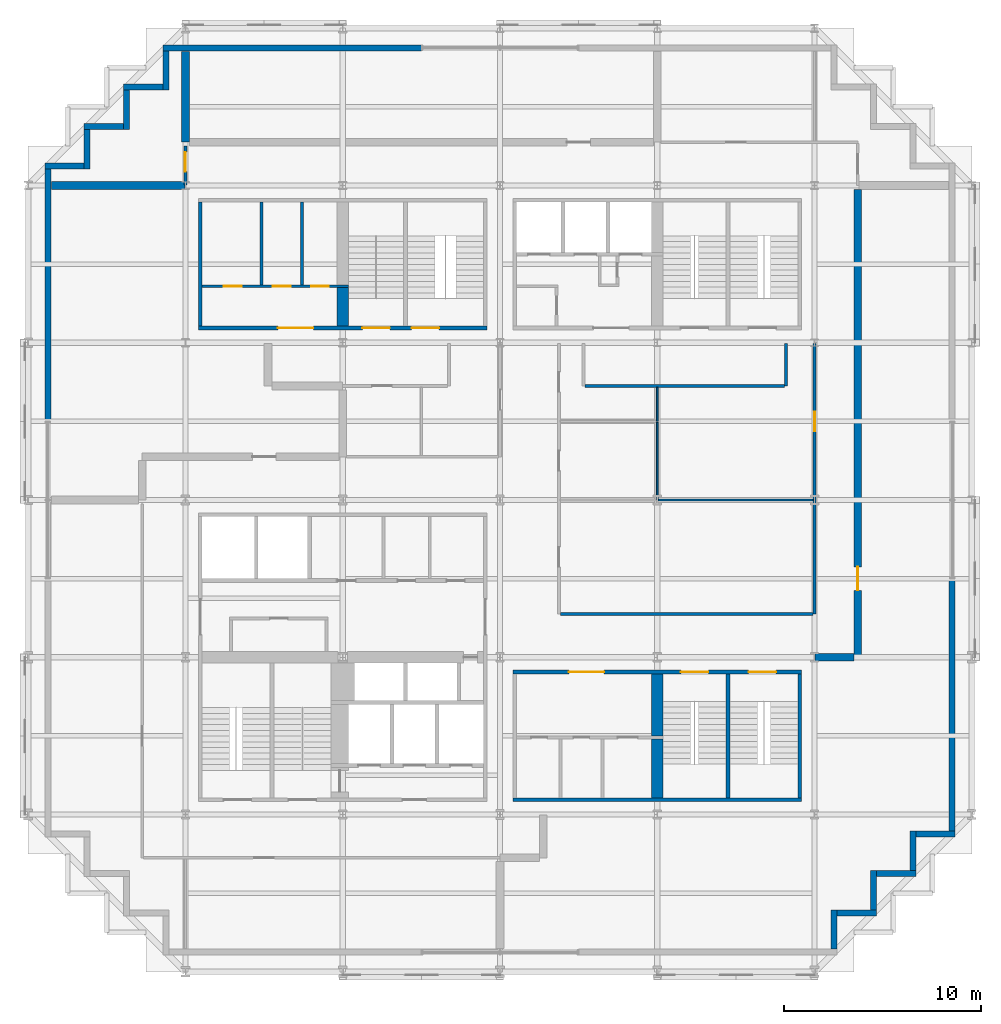
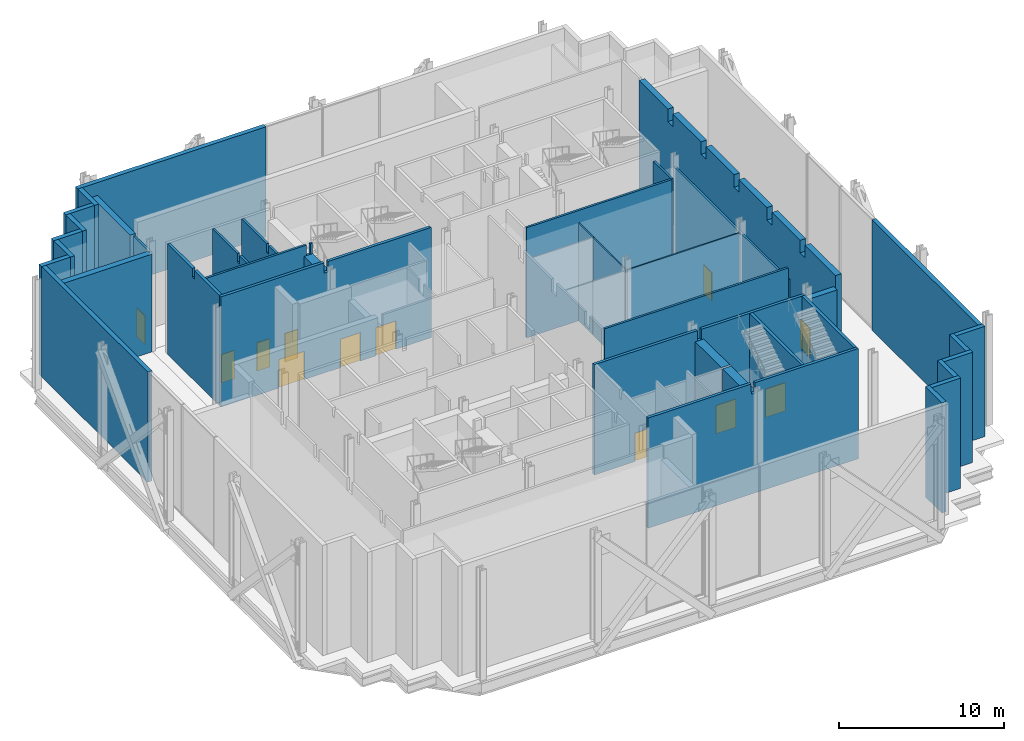
# One storey, part 9 of 13: 39 walls, 12 doors, 12 openings.
"""IFC4 building model written with IfcOpenShell, lengths in metres."""

from ifc_helpers import new_model, si_unit, direction, frame, frame_2d, origin, place, context, subcontext, project, spatial, polyline, rectangle, outline, extrude, material, layer, layer_set, type_object, element, fill, save


model = new_model("IFC4")

# Units and contexts
model_context = context("Model", 3, precision=1e-05, world=origin(), true_north=direction((0.0, 1.0)))
body_context = subcontext(model_context, "Body", "Model", "MODEL_VIEW")
ifc_project = project(units=[si_unit("LENGTHUNIT", "METRE"), si_unit("AREAUNIT", "SQUARE_METRE"), si_unit("VOLUMEUNIT", "CUBIC_METRE"), si_unit("PLANEANGLEUNIT", "RADIAN"), si_unit("MASSUNIT", "GRAM", prefix="KILO")], contexts=[model_context])

# Site, building, storey
site_placement = place(None, origin())
site = spatial("IfcSite", under=ifc_project, at=site_placement, CompositionType="ELEMENT")
building_placement = place(site_placement, origin())
building = spatial("IfcBuilding", under=site, at=building_placement, Name="Immortelle Media Tower", CompositionType="ELEMENT")
storey_placement = place(building_placement, frame((0.0, 0.0, 21.0)))
storey = spatial("IfcBuildingStorey", under=building, at=storey_placement, Name="L02", CompositionType="ELEMENT", Elevation=21.0)

# Wall, openings, doors
ifc_material_1 = material(Name="Fire-rated gypsum board", Category="gypsum")
ifc_layer_1 = layer(ifc_material_1, 0.02490234375)
ifc_material_2 = material(Name="Steel ASTM A653 SS Gr 50 stud frame with mineral wool", Category="steel")
ifc_layer_2 = layer(ifc_material_2, 0.10009765625)
ifc_layer_3 = layer(ifc_material_1, 0.02490234375)
ifc_layer_set_1 = layer_set([ifc_layer_1, ifc_layer_2, ifc_layer_3], Name="Steel ASTM A653 SS Gr 50 stud frame with mineral wool")
wall_type_1 = type_object("IfcWallType", Name="Core partition 150", PredefinedType="PARTITIONING", material=ifc_layer_set_1)
wall_1_placement = place(storey_placement, frame((8.85009765625, 34.875, 0.0), z_axis=(0.0, 0.0, 1.0), x_axis=(1.0, 0.0, 0.0)))
wall_1 = element("IfcWall", 1, at=wall_1_placement, inside=storey, type_object=wall_type_1, Name="Core partition NW", PredefinedType="PARTITIONING", context=body_context, shape_type="SweptSolid", body=[
    extrude(outline(polyline([(0.0, 0.0), (7.449951171875, 0.0), (7.449951171875, 8.14990234375), (7.28857421875, 8.14990234375), (7.28759765625, 7.382080078125), (7.012451171875, 7.382080078125), (7.011474609375, 8.14990234375), (0.0, 8.14990234375), (0.0, 0.0)])), frame((0.0, 0.074951171875, 0.0), z_axis=(0.0, -1.0, 0.0), x_axis=(1.0, 0.0, 0.0)), (0.0, 0.0, 1.0), 0.14990234375),
])
opening_1_placement = place(wall_1_placement, frame((1.10009765625, 0.0, 0.0)))
opening_1 = element("IfcOpeningElement", 2, at=opening_1_placement, cuts=wall_1, Name="Opening P2-K021", PredefinedType="OPENING", context=body_context, shape_type="SweptSolid", body=[
    extrude(rectangle(XDim=0.89990234375, YDim=2.10009765625, at=frame_2d((0.449951171875, 1.050048828125))), frame((0.0, 0.0849609375, 0.0), z_axis=(0.0, -1.0, 0.0), x_axis=(1.0, 0.0, 0.0)), (0.0, 0.0, 1.0), 0.169921875),
])
opening_2_placement = place(wall_1_placement, frame((3.60009765625, 0.0, 0.0)))
opening_2 = element("IfcOpeningElement", 3, at=opening_2_placement, cuts=wall_1, Name="Opening P2-K022", PredefinedType="OPENING", context=body_context, shape_type="SweptSolid", body=[
    extrude(rectangle(XDim=0.89990234375, YDim=2.10009765625, at=frame_2d((0.449951171875, 1.050048828125))), frame((0.0, 0.0849609375, 0.0), z_axis=(0.0, -1.0, 0.0), x_axis=(1.0, 0.0, 0.0)), (0.0, 0.0, 1.0), 0.169921875),
])
opening_3_placement = place(wall_1_placement, frame((5.550048828125, 0.0, 0.0)))
opening_3 = element("IfcOpeningElement", 4, at=opening_3_placement, cuts=wall_1, Name="Opening P2-K024", PredefinedType="OPENING", context=body_context, shape_type="SweptSolid", body=[
    extrude(rectangle(XDim=0.89990234375, YDim=2.10009765625, at=frame_2d((0.449951171875, 1.050048828125))), frame((0.0, 0.0849609375, 0.0), z_axis=(0.0, -1.0, 0.0), x_axis=(1.0, 0.0, 0.0)), (0.0, 0.0, 1.0), 0.169921875),
])
ifc_material_3 = material(Name="Timber", Category="wood")
door_type_1 = type_object("IfcDoorType", Name="Room door 900 x 2100", OperationType="NOTDEFINED", PredefinedType="NOTDEFINED", material=ifc_material_3)
door_1_placement = place(opening_1_placement, origin())
door_1 = element("IfcDoor", 5, at=door_1_placement, inside=storey, type_object=door_type_1, Name="Room P2-K021", OperationType="SINGLE_SWING_LEFT", OverallHeight=2.10009765625, OverallWidth=0.89990234375, PredefinedType="NOTDEFINED", context=body_context, shape_type="SweptSolid", body=[
    extrude(rectangle(XDim=0.89990234375, YDim=2.10009765625, at=frame_2d((0.449951171875, 1.050048828125))), frame((0.0, 0.02490234375, 0.0), z_axis=(0.0, -1.0, 0.0), x_axis=(1.0, 0.0, 0.0)), (0.0, 0.0, 1.0), 0.050048828125),
])
fill(opening_1, door_1)
door_2_placement = place(opening_2_placement, origin())
door_2 = element("IfcDoor", 6, at=door_2_placement, inside=storey, type_object=door_type_1, Name="Room P2-K022", OperationType="SINGLE_SWING_RIGHT", OverallHeight=2.10009765625, OverallWidth=0.89990234375, PredefinedType="NOTDEFINED", context=body_context, shape_type="SweptSolid", body=[
    extrude(rectangle(XDim=0.89990234375, YDim=2.10009765625, at=frame_2d((0.449951171875, 1.050048828125))), frame((0.0, 0.02490234375, 0.0), z_axis=(0.0, -1.0, 0.0), x_axis=(1.0, 0.0, 0.0)), (0.0, 0.0, 1.0), 0.050048828125),
])
fill(opening_2, door_2)
ifc_material_4 = material(Name="Galvanised steel door leaf and frame ASTM A653", Category="steel")
door_type_2 = type_object("IfcDoorType", Name="Service door 900 x 2100", OperationType="NOTDEFINED", PredefinedType="NOTDEFINED", material=ifc_material_4)
door_3_placement = place(opening_3_placement, origin())
door_3 = element("IfcDoor", 7, at=door_3_placement, inside=storey, type_object=door_type_2, Name="Service P2-K024", OperationType="SINGLE_SWING_LEFT", OverallHeight=2.10009765625, OverallWidth=0.89990234375, PredefinedType="NOTDEFINED", context=body_context, shape_type="SweptSolid", body=[
    extrude(rectangle(XDim=0.89990234375, YDim=2.10009765625, at=frame_2d((0.449951171875, 1.050048828125))), frame((0.0, 0.02490234375, 0.0), z_axis=(0.0, -1.0, 0.0), x_axis=(1.0, 0.0, 0.0)), (0.0, 0.0, 1.0), 0.050048828125),
])
fill(opening_3, door_3)

# Walls
for number, where, z_axis, x_axis, name in (
    (8, (11.875, 34.949951171875, 0.0), (0.0, 0.0, 1.0), (0.0, 1.0, 0.0), "Core partition NW"),
    (9, (13.925048828125, 34.949951171875, 0.0), (0.0, 0.0, 1.0), (0.0, 1.0, 0.0), "Core partition NW"),
):
    element("IfcWall", number, at=place(storey_placement, frame(where, z_axis=z_axis, x_axis=x_axis)), inside=storey, type_object=wall_type_1, Name=name, PredefinedType="PARTITIONING", context=body_context, shape_type="SweptSolid", body=[
        extrude(outline(polyline([(0.0, 0.0), (4.199951171875, 0.0), (4.199951171875, 8.14990234375), (1.16943359375, 8.14990234375), (1.16845703125, 7.531982421875), (0.931396484375, 7.531982421875), (0.930419921875, 8.14990234375), (0.0, 8.14990234375), (0.0, 0.0)])), frame((0.0, 0.074951171875, 0.0), z_axis=(0.0, -1.0, 0.0), x_axis=(1.0, 0.0, 0.0)), (0.0, 0.0, 1.0), 0.14990234375),
    ])
ifc_layer_4 = layer(ifc_material_1, 0.03759765625)
ifc_layer_5 = layer(ifc_material_2, 0.125)
ifc_layer_6 = layer(ifc_material_1, 0.03759765625)
ifc_layer_set_2 = layer_set([ifc_layer_4, ifc_layer_5, ifc_layer_6], Name="Steel ASTM A653 SS Gr 50 stud frame with mineral wool")
wall_type_2 = type_object("IfcWallType", Name="Core shaft wall 200", PredefinedType="PARTITIONING", material=ifc_layer_set_2)
wall_2_placement = place(storey_placement, frame((8.75, 32.85009765625, 0.0), z_axis=(0.0, 0.0, 1.0), x_axis=(0.0, 1.0, 0.0)))
element("IfcWall", 10, at=wall_2_placement, inside=storey, type_object=wall_type_2, Name="Core shaft wall NW", PredefinedType="PARTITIONING", context=body_context, shape_type="SweptSolid", body=[
    extrude(outline(polyline([(0.0, 0.0), (6.2998046875, 0.0), (6.300048828125, 8.14990234375), (3.26953125, 8.14990234375), (3.2685546875, 7.531982421875), (3.031494140625, 7.531982421875), (3.030517578125, 8.14990234375), (0.0, 8.14990234375), (0.0, 0.0)])), frame((0.0, 0.10009765625, 0.0), z_axis=(0.0, -1.0, 0.0), x_axis=(1.0, 0.0, 0.0)), (0.0, 0.0, 1.0), 0.199951171875),
])
ifc_layer_7 = layer(ifc_material_1, 0.012451171875)
ifc_layer_8 = layer(ifc_material_2, 0.125)
ifc_layer_9 = layer(ifc_material_1, 0.012451171875)
ifc_layer_set_3 = layer_set([ifc_layer_7, ifc_layer_8, ifc_layer_9], Name="Steel ASTM A653 SS Gr 50 stud frame with mineral wool")
wall_type_3 = type_object("IfcWallType", Name="Corridor wall 150", PredefinedType="PARTITIONING", material=ifc_layer_set_3)
wall_3_placement = place(storey_placement, frame((27.074951171875, 18.199951171875, 0.0), z_axis=(0.0, 0.0, 1.0), x_axis=(1.0, 0.0, 0.0)))
element("IfcWall", 11, at=wall_3_placement, inside=storey, type_object=wall_type_3, Name="Partition L02-009", PredefinedType="PARTITIONING", context=body_context, shape_type="SweptSolid", body=[
    extrude(rectangle(XDim=12.85009765625, YDim=0.14990234375, at=frame_2d((6.425048828125, 0.0))), origin(), (0.0, 0.0, 1.0), 8.14990234375),
])

# Wall, opening, door
wall_4_placement = place(storey_placement, frame((40.0, 18.199951171875, 0.0), z_axis=(0.0, 0.0, 1.0), x_axis=(0.0, 1.0, 0.0)))
wall_4 = element("IfcWall", 12, at=wall_4_placement, inside=storey, type_object=wall_type_3, Name="Partition L02-011", PredefinedType="PARTITIONING", context=body_context, shape_type="SweptSolid", body=[
    extrude(rectangle(XDim=13.77001953125, YDim=0.14990234375, at=frame_2d((6.885009765625, 0.0))), origin(), (0.0, 0.0, 1.0), 7.222900390625),
])
opening_4_placement = place(wall_4_placement, frame((9.300048828125, 0.0, 0.0)))
opening_4 = element("IfcOpeningElement", 13, at=opening_4_placement, cuts=wall_4, Name="Opening P2-F007", PredefinedType="OPENING", context=body_context, shape_type="SweptSolid", body=[
    extrude(rectangle(XDim=1.0, YDim=2.10009765625, at=frame_2d((0.5, 1.050048828125))), frame((0.0, 0.0849609375, 0.0), z_axis=(0.0, -1.0, 0.0), x_axis=(1.0, 0.0, 0.0)), (0.0, 0.0, 1.0), 0.169921875),
])
ifc_material_5 = material(Name="Timber veneered door leaf, galvanised steel frame ASTM A653", Category="steel")
door_type_3 = type_object("IfcDoorType", Name="Room door 1000 x 2100", OperationType="NOTDEFINED", PredefinedType="DOOR", material=ifc_material_5)
door_4_placement = place(opening_4_placement, origin())
door_4 = element("IfcDoor", 14, at=door_4_placement, inside=storey, type_object=door_type_3, Name="Door P2-F007", OperationType="SINGLE_SWING_RIGHT", OverallHeight=2.10009765625, OverallWidth=1.0, PredefinedType="DOOR", context=body_context, shape_type="SweptSolid", body=[
    extrude(rectangle(XDim=1.0, YDim=2.10009765625, at=frame_2d((0.5, 1.050048828125))), frame((0.0, 0.02490234375, 0.0), z_axis=(0.0, -1.0, 0.0), x_axis=(1.0, 0.0, 0.0)), (0.0, 0.0, 1.0), 0.050048828125),
])
fill(opening_4, door_4)

# Walls
wall_5_placement = place(storey_placement, frame((28.324951171875, 29.800048828125, 0.0), z_axis=(0.0, 0.0, 1.0), x_axis=(1.0, 0.0, 0.0)))
element("IfcWall", 15, at=wall_5_placement, inside=storey, type_object=wall_type_3, Name="Partition L02-028", PredefinedType="PARTITIONING", context=body_context, shape_type="SweptSolid", body=[
    extrude(rectangle(XDim=10.150146484375, YDim=0.14990234375, at=frame_2d((5.0751953125, 0.0))), origin(), (0.0, 0.0, 1.0), 8.14990234375),
])
wall_6_placement = place(storey_placement, frame((38.550048828125, 29.800048828125, 0.0), z_axis=(0.0, 0.0, 1.0), x_axis=(0.0, 1.0, 0.0)))
element("IfcWall", 16, at=wall_6_placement, inside=storey, type_object=wall_type_3, Name="Partition L02-030", PredefinedType="PARTITIONING", context=body_context, shape_type="SweptSolid", body=[
    extrude(rectangle(XDim=2.169921875, YDim=0.14990234375, at=frame_2d((1.0849609375, 0.0))), origin(), (0.0, 0.0, 1.0), 8.14990234375),
])

# Wall, opening, door
wall_7_placement = place(storey_placement, frame((8.0, 40.030029296875, 0.0), z_axis=(0.0, 0.0, 1.0), x_axis=(0.0, 1.0, 0.0)))
wall_7 = element("IfcWall", 17, at=wall_7_placement, inside=storey, type_object=wall_type_3, Name="Partition L02-034", PredefinedType="PARTITIONING", context=body_context, shape_type="SweptSolid", body=[
    extrude(rectangle(XDim=1.969970703125, YDim=0.14990234375, at=frame_2d((0.98486328125, 0.0))), origin(), (0.0, 0.0, 1.0), 7.222900390625),
])
opening_5_placement = place(wall_7_placement, frame((0.669921875, 0.0, 0.0)))
opening_5 = element("IfcOpeningElement", 18, at=opening_5_placement, cuts=wall_7, Name="Opening P2-F011", PredefinedType="OPENING", context=body_context, shape_type="SweptSolid", body=[
    extrude(rectangle(XDim=1.0, YDim=2.10009765625, at=frame_2d((0.5, 1.050048828125))), frame((0.0, 0.0849609375, 0.0), z_axis=(0.0, -1.0, 0.0), x_axis=(1.0, 0.0, 0.0)), (0.0, 0.0, 1.0), 0.169921875),
])
door_5_placement = place(opening_5_placement, origin())
door_5 = element("IfcDoor", 19, at=door_5_placement, inside=storey, type_object=door_type_3, Name="Door P2-F011", OperationType="SINGLE_SWING_LEFT", OverallHeight=2.10009765625, OverallWidth=1.0, PredefinedType="DOOR", context=body_context, shape_type="SweptSolid", body=[
    extrude(rectangle(XDim=1.0, YDim=2.10009765625, at=frame_2d((0.5, 1.050048828125))), frame((0.0, 0.02490234375, 0.0), z_axis=(0.0, -1.0, 0.0), x_axis=(1.0, 0.0, 0.0)), (0.0, 0.0, 1.0), 0.050048828125),
])
fill(opening_5, door_5)

# Walls
ifc_material_6 = material(Name="Pale aluminium cladding panel", Category="aluminium")
ifc_layer_10 = layer(ifc_material_6, 0.030029296875)
ifc_layer_11 = layer(ifc_material_2, 0.257568359375)
ifc_material_7 = material(Name="Moisture-resistant gypsum board", Category="gypsum")
ifc_layer_12 = layer(ifc_material_7, 0.012451171875)
ifc_layer_set_4 = layer_set([ifc_layer_10, ifc_layer_11, ifc_layer_12], Name="Steel ASTM A653 SS Gr 50 stud frame with mineral wool")
wall_type_4 = type_object("IfcWallType", Name="Pale metal clad wall 300", PredefinedType="STANDARD", material=ifc_layer_set_4)
for number, where, z_axis, x_axis, name in (
    (20, (41.0, 1.14990234375, 0.0), (0.0, 0.0, 1.0), (0.0, 1.0, 0.0), "Studio wall L02 E 8"),
    (21, (41.14990234375, 3.0, 0.0), (0.0, 0.0, 1.0), (1.0, 0.0, 0.0), "Studio wall L02 S 9"),
    (22, (43.0, 3.14990234375, 0.0), (0.0, 0.0, 1.0), (0.0, 1.0, 0.0), "Studio wall L02 E 10"),
    (23, (43.14990234375, 5.0, 0.0), (0.0, 0.0, 1.0), (1.0, 0.0, 0.0), "Studio wall L02 S 11"),
    (24, (45.0, 5.14990234375, 0.0), (0.0, 0.0, 1.0), (0.0, 1.0, 0.0), "Studio wall L02 E 12"),
    (25, (45.14990234375, 7.0, 0.0), (0.0, 0.0, 1.0), (1.0, 0.0, 0.0), "Studio wall L02 S 13"),
):
    element("IfcWall", number, at=place(storey_placement, frame(where, z_axis=z_axis, x_axis=x_axis)), inside=storey, type_object=wall_type_4, Name=name, PredefinedType="STANDARD", context=body_context, shape_type="SweptSolid", body=[
        extrude(rectangle(XDim=2.0, YDim=0.300048828125, at=frame_2d((1.0, 0.0))), origin(), (0.0, 0.0, 1.0), 8.14990234375),
    ])
wall_8_placement = place(storey_placement, frame((47.0, 7.14990234375, 0.0), z_axis=(0.0, 0.0, 1.0), x_axis=(0.0, 1.0, 0.0)))
element("IfcWall", 26, at=wall_8_placement, inside=storey, type_object=wall_type_4, Name="Studio wall L02 E 14-1", PredefinedType="STANDARD", context=body_context, shape_type="SweptSolid", body=[
    extrude(rectangle(XDim=12.85009765625, YDim=0.300048828125, at=frame_2d((6.425048828125, 0.0))), origin(), (0.0, 0.0, 1.0), 8.14990234375),
])
wall_9_placement = place(storey_placement, frame((20.0, 47.0, 0.0), z_axis=(0.0, 0.0, 1.0), x_axis=(-1.0, 0.0, 0.0)))
element("IfcWall", 27, at=wall_9_placement, inside=storey, type_object=wall_type_4, Name="Studio wall L02 N 21-3", PredefinedType="STANDARD", context=body_context, shape_type="SweptSolid", body=[
    extrude(rectangle(XDim=13.14990234375, YDim=0.300048828125, at=frame_2d((6.574951171875, 0.0))), origin(), (0.0, 0.0, 1.0), 8.14990234375),
])
for number, where, z_axis, x_axis, name in (
    (28, (7.0, 46.85009765625, 0.0), (0.0, 0.0, 1.0), (0.0, -1.0, 0.0), "Studio wall L02 W 22"),
    (29, (6.85009765625, 45.0, 0.0), (0.0, 0.0, 1.0), (-1.0, 0.0, 0.0), "Studio wall L02 N 23"),
    (30, (5.0, 44.85009765625, 0.0), (0.0, 0.0, 1.0), (0.0, -1.0, 0.0), "Studio wall L02 W 24"),
    (31, (4.85009765625, 43.0, 0.0), (0.0, 0.0, 1.0), (-1.0, 0.0, 0.0), "Studio wall L02 N 25"),
    (32, (3.0, 42.85009765625, 0.0), (0.0, 0.0, 1.0), (0.0, -1.0, 0.0), "Studio wall L02 W 26"),
    (33, (2.85009765625, 41.0, 0.0), (0.0, 0.0, 1.0), (-1.0, 0.0, 0.0), "Studio wall L02 N 27"),
):
    element("IfcWall", number, at=place(storey_placement, frame(where, z_axis=z_axis, x_axis=x_axis)), inside=storey, type_object=wall_type_4, Name=name, PredefinedType="STANDARD", context=body_context, shape_type="SweptSolid", body=[
        extrude(rectangle(XDim=2.0, YDim=0.300048828125, at=frame_2d((1.0, 0.0))), origin(), (0.0, 0.0, 1.0), 8.14990234375),
    ])
wall_10_placement = place(storey_placement, frame((1.0, 40.85009765625, 0.0), z_axis=(0.0, 0.0, 1.0), x_axis=(0.0, -1.0, 0.0)))
element("IfcWall", 34, at=wall_10_placement, inside=storey, type_object=wall_type_4, Name="Studio wall L02 W 28-1", PredefinedType="STANDARD", context=body_context, shape_type="SweptSolid", body=[
    extrude(rectangle(XDim=12.85009765625, YDim=0.300048828125, at=frame_2d((6.425048828125, 0.0))), origin(), (0.0, 0.0, 1.0), 8.14990234375),
])
ifc_material_8 = material(Name="Gypsum board", Category="gypsum")
ifc_layer_13 = layer(ifc_material_8, 0.012451171875)
ifc_layer_14 = layer(ifc_material_2, 0.074951171875)
ifc_layer_15 = layer(ifc_material_8, 0.012451171875)
ifc_layer_set_5 = layer_set([ifc_layer_13, ifc_layer_14, ifc_layer_15], Name="Steel ASTM A653 SS Gr 50 stud frame with mineral wool")
wall_type_5 = type_object("IfcWallType", Name="Partition 100", PredefinedType="PARTITIONING", material=ifc_layer_set_5)
wall_11_placement = place(storey_placement, frame((32.050048828125, 24.0, 0.0), z_axis=(0.0, 0.0, 1.0), x_axis=(1.0, 0.0, 0.0)))
element("IfcWall", 35, at=wall_11_placement, inside=storey, type_object=wall_type_5, Name="Partition L02-015", PredefinedType="PARTITIONING", context=body_context, shape_type="SweptSolid", body=[
    extrude(rectangle(XDim=7.875, YDim=0.10009765625, at=frame_2d((3.9375, 0.0))), origin(), (0.0, 0.0, 1.0), 7.222900390625),
])
wall_12_placement = place(storey_placement, frame((32.0, 24.0, 0.0), z_axis=(0.0, 0.0, 1.0), x_axis=(0.0, 1.0, 0.0)))
element("IfcWall", 36, at=wall_12_placement, inside=storey, type_object=wall_type_5, Name="Partition L02-016", PredefinedType="PARTITIONING", context=body_context, shape_type="SweptSolid", body=[
    extrude(rectangle(XDim=3.949951171875, YDim=0.10009765625, at=frame_2d((1.97509765625, 0.0))), origin(), (0.0, 0.0, 1.0), 7.222900390625),
])
wall_13_placement = place(storey_placement, frame((32.0, 28.0, 0.0), z_axis=(0.0, 0.0, 1.0), x_axis=(0.0, 1.0, 0.0)))
element("IfcWall", 37, at=wall_13_placement, inside=storey, type_object=wall_type_5, Name="Partition L02-023", PredefinedType="PARTITIONING", context=body_context, shape_type="SweptSolid", body=[
    extrude(rectangle(XDim=1.72509765625, YDim=0.10009765625, at=frame_2d((0.862548828125, 0.0))), origin(), (0.0, 0.0, 1.0), 7.222900390625),
])
ifc_material_9 = material(Name="Concrete C60", Category="concrete")
ifc_layer_16 = layer(ifc_material_9, 0.199951171875)
ifc_layer_set_6 = layer_set([ifc_layer_16], Name="Concrete C60")
wall_type_6 = type_object("IfcWallType", Name="Stair shaft wall 200", PredefinedType="PARTITIONING", material=ifc_layer_set_6)
wall_14_placement = place(storey_placement, frame((24.64990234375, 8.75, 0.0), z_axis=(0.0, 0.0, 1.0), x_axis=(1.0, 0.0, 0.0)))
element("IfcWall", 38, at=wall_14_placement, inside=storey, type_object=wall_type_6, Name="Stair shaft wall SE", PredefinedType="PARTITIONING", context=body_context, shape_type="SweptSolid", body=[
    extrude(outline(polyline([(0.0, 0.0), (14.7001953125, 0.0), (14.699951171875, 8.14990234375), (7.488525390625, 8.14990234375), (7.487548828125, 7.382080078125), (7.21240234375, 7.382080078125), (7.21142578125, 8.14990234375), (0.0, 8.14990234375), (0.0, 0.0)])), frame((0.0, 0.10009765625, 0.0), z_axis=(0.0, -1.0, 0.0), x_axis=(1.0, 0.0, 0.0)), (0.0, 0.0, 1.0), 0.199951171875),
])

# Wall, openings, doors
wall_15_placement = place(storey_placement, frame((24.64990234375, 15.25, 0.0), z_axis=(0.0, 0.0, 1.0), x_axis=(1.0, 0.0, 0.0)))
wall_15 = element("IfcWall", 39, at=wall_15_placement, inside=storey, type_object=wall_type_6, Name="Stair shaft wall SE", PredefinedType="PARTITIONING", context=body_context, shape_type="SweptSolid", body=[
    extrude(outline(polyline([(0.0, 0.0), (14.7001953125, 0.0), (14.699951171875, 8.14990234375), (7.488525390625, 8.14990234375), (7.487548828125, 7.382080078125), (7.21240234375, 7.382080078125), (7.21142578125, 8.14990234375), (0.0, 8.14990234375), (0.0, 0.0)])), frame((0.0, 0.10009765625, 0.0), z_axis=(0.0, -1.0, 0.0), x_axis=(1.0, 0.0, 0.0)), (0.0, 0.0, 1.0), 0.199951171875),
])
opening_6_placement = place(wall_15_placement, frame((2.85009765625, 0.0, 0.0)))
opening_6 = element("IfcOpeningElement", 40, at=opening_6_placement, cuts=wall_15, Name="Opening P2-K017", PredefinedType="OPENING", context=body_context, shape_type="SweptSolid", body=[
    extrude(rectangle(XDim=1.800048828125, YDim=2.10009765625, at=frame_2d((0.89990234375, 1.050048828125))), frame((0.0, 0.10986328125, 0.0), z_axis=(0.0, -1.0, 0.0), x_axis=(1.0, 0.0, 0.0)), (0.0, 0.0, 1.0), 0.219970703125),
])
opening_7_placement = place(wall_15_placement, frame((9.949951171875, 0.0, 0.0), z_axis=(0.0, 0.0, 1.0), x_axis=(-1.0, 0.0, 0.0)))
opening_7 = element("IfcOpeningElement", 41, at=opening_7_placement, cuts=wall_15, Name="Opening P2-K019", PredefinedType="OPENING", context=body_context, shape_type="SweptSolid", body=[
    extrude(rectangle(XDim=1.39990234375, YDim=2.10009765625, at=frame_2d((0.699951171875, 1.050048828125))), frame((0.0, 0.10986328125, 0.0), z_axis=(0.0, -1.0, 0.0), x_axis=(1.0, 0.0, 0.0)), (0.0, 0.0, 1.0), 0.219970703125),
])
opening_8_placement = place(wall_15_placement, frame((13.39990234375, 0.0, 0.0), z_axis=(0.0, 0.0, 1.0), x_axis=(-1.0, 0.0, 0.0)))
opening_8 = element("IfcOpeningElement", 42, at=opening_8_placement, cuts=wall_15, Name="Opening P2-K020", PredefinedType="OPENING", context=body_context, shape_type="SweptSolid", body=[
    extrude(rectangle(XDim=1.39990234375, YDim=2.10009765625, at=frame_2d((0.699951171875, 1.050048828125))), frame((0.0, 0.10986328125, 0.0), z_axis=(0.0, -1.0, 0.0), x_axis=(1.0, 0.0, 0.0)), (0.0, 0.0, 1.0), 0.219970703125),
])
door_type_4 = type_object("IfcDoorType", Name="Lift lobby door 1800 x 2100", OperationType="DOUBLE_DOOR_SINGLE_SWING", PredefinedType="NOTDEFINED", material=ifc_material_4)
door_6_placement = place(opening_6_placement, origin())
door_6 = element("IfcDoor", 43, at=door_6_placement, inside=storey, type_object=door_type_4, Name="Lift lobby P2-K017", OperationType="DOUBLE_DOOR_SINGLE_SWING", OverallHeight=2.10009765625, OverallWidth=1.800048828125, PredefinedType="NOTDEFINED", context=body_context, shape_type="SweptSolid", body=[
    extrude(rectangle(XDim=1.800048828125, YDim=2.10009765625, at=frame_2d((0.89990234375, 1.050048828125))), frame((0.0, 0.02490234375, 0.0), z_axis=(0.0, -1.0, 0.0), x_axis=(1.0, 0.0, 0.0)), (0.0, 0.0, 1.0), 0.050048828125),
])
fill(opening_6, door_6)
door_type_5 = type_object("IfcDoorType", Name="Stair door 1400 x 2100", OperationType="DOUBLE_DOOR_SINGLE_SWING", PredefinedType="NOTDEFINED", material=ifc_material_4)
door_7_placement = place(opening_7_placement, origin())
door_7 = element("IfcDoor", 44, at=door_7_placement, inside=storey, type_object=door_type_5, Name="Stair P2-K019", OperationType="DOUBLE_DOOR_SINGLE_SWING", OverallHeight=2.10009765625, OverallWidth=1.39990234375, PredefinedType="NOTDEFINED", context=body_context, shape_type="SweptSolid", body=[
    extrude(rectangle(XDim=1.39990234375, YDim=2.10009765625, at=frame_2d((0.699951171875, 1.050048828125))), frame((0.0, 0.02490234375, 0.0), z_axis=(0.0, -1.0, 0.0), x_axis=(1.0, 0.0, 0.0)), (0.0, 0.0, 1.0), 0.050048828125),
])
fill(opening_7, door_7)
door_8_placement = place(opening_8_placement, origin())
door_8 = element("IfcDoor", 45, at=door_8_placement, inside=storey, type_object=door_type_5, Name="Stair P2-K020", OperationType="DOUBLE_DOOR_SINGLE_SWING", OverallHeight=2.10009765625, OverallWidth=1.39990234375, PredefinedType="NOTDEFINED", context=body_context, shape_type="SweptSolid", body=[
    extrude(rectangle(XDim=1.39990234375, YDim=2.10009765625, at=frame_2d((0.699951171875, 1.050048828125))), frame((0.0, 0.02490234375, 0.0), z_axis=(0.0, -1.0, 0.0), x_axis=(1.0, 0.0, 0.0)), (0.0, 0.0, 1.0), 0.050048828125),
])
fill(opening_8, door_8)

# Walls
for number, where, z_axis, x_axis, name in (
    (46, (35.60009765625, 8.85009765625, 0.0), (0.0, 0.0, 1.0), (0.0, 1.0, 0.0), "Stair shaft wall SE"),
    (47, (39.25, 8.85009765625, 0.0), (0.0, 0.0, 1.0), (0.0, 1.0, 0.0), "Stair shaft wall SE"),
):
    element("IfcWall", number, at=place(storey_placement, frame(where, z_axis=z_axis, x_axis=x_axis)), inside=storey, type_object=wall_type_6, Name=name, PredefinedType="PARTITIONING", context=body_context, shape_type="SweptSolid", body=[
        extrude(rectangle(XDim=6.2998046875, YDim=0.199951171875, at=frame_2d((3.14990234375, 0.0))), origin(), (0.0, 0.0, 1.0), 8.14990234375),
    ])

# Wall, openings, doors
wall_16_placement = place(storey_placement, frame((8.64990234375, 32.75, 0.0), z_axis=(0.0, 0.0, 1.0), x_axis=(1.0, 0.0, 0.0)))
wall_16 = element("IfcWall", 48, at=wall_16_placement, inside=storey, type_object=wall_type_6, Name="Stair shaft wall NW", PredefinedType="PARTITIONING", context=body_context, shape_type="SweptSolid", body=[
    extrude(outline(polyline([(0.0, 0.0), (14.7001953125, 0.0), (14.699951171875, 8.14990234375), (7.488525390625, 8.14990234375), (7.487548828125, 7.382080078125), (7.21240234375, 7.382080078125), (7.21142578125, 8.14990234375), (0.0, 8.14990234375), (0.0, 0.0)])), frame((0.0, 0.10009765625, 0.0), z_axis=(0.0, -1.0, 0.0), x_axis=(1.0, 0.0, 0.0)), (0.0, 0.0, 1.0), 0.199951171875),
])
opening_9_placement = place(wall_16_placement, frame((4.050048828125, 0.0, 0.0)))
opening_9 = element("IfcOpeningElement", 49, at=opening_9_placement, cuts=wall_16, Name="Opening P2-K023", PredefinedType="OPENING", context=body_context, shape_type="SweptSolid", body=[
    extrude(rectangle(XDim=1.800048828125, YDim=2.10009765625, at=frame_2d((0.89990234375, 1.050048828125))), frame((0.0, 0.10986328125, 0.0), z_axis=(0.0, -1.0, 0.0), x_axis=(1.0, 0.0, 0.0)), (0.0, 0.0, 1.0), 0.219970703125),
])
opening_10_placement = place(wall_16_placement, frame((8.35009765625, 0.0, 0.0)))
opening_10 = element("IfcOpeningElement", 50, at=opening_10_placement, cuts=wall_16, Name="Opening P2-K025", PredefinedType="OPENING", context=body_context, shape_type="SweptSolid", body=[
    extrude(rectangle(XDim=1.39990234375, YDim=2.10009765625, at=frame_2d((0.699951171875, 1.050048828125))), frame((0.0, 0.10986328125, 0.0), z_axis=(0.0, -1.0, 0.0), x_axis=(1.0, 0.0, 0.0)), (0.0, 0.0, 1.0), 0.219970703125),
])
opening_11_placement = place(wall_16_placement, frame((10.85009765625, 0.0, 0.0)))
opening_11 = element("IfcOpeningElement", 51, at=opening_11_placement, cuts=wall_16, Name="Opening P2-K026", PredefinedType="OPENING", context=body_context, shape_type="SweptSolid", body=[
    extrude(rectangle(XDim=1.39990234375, YDim=2.10009765625, at=frame_2d((0.699951171875, 1.050048828125))), frame((0.0, 0.10986328125, 0.0), z_axis=(0.0, -1.0, 0.0), x_axis=(1.0, 0.0, 0.0)), (0.0, 0.0, 1.0), 0.219970703125),
])
door_9_placement = place(opening_9_placement, origin())
door_9 = element("IfcDoor", 52, at=door_9_placement, inside=storey, type_object=door_type_4, Name="Lift lobby P2-K023", OperationType="DOUBLE_DOOR_SINGLE_SWING", OverallHeight=2.10009765625, OverallWidth=1.800048828125, PredefinedType="NOTDEFINED", context=body_context, shape_type="SweptSolid", body=[
    extrude(rectangle(XDim=1.800048828125, YDim=2.10009765625, at=frame_2d((0.89990234375, 1.050048828125))), frame((0.0, 0.02490234375, 0.0), z_axis=(0.0, -1.0, 0.0), x_axis=(1.0, 0.0, 0.0)), (0.0, 0.0, 1.0), 0.050048828125),
])
fill(opening_9, door_9)
door_10_placement = place(opening_10_placement, origin())
door_10 = element("IfcDoor", 53, at=door_10_placement, inside=storey, type_object=door_type_5, Name="Stair P2-K025", OperationType="DOUBLE_DOOR_SINGLE_SWING", OverallHeight=2.10009765625, OverallWidth=1.39990234375, PredefinedType="NOTDEFINED", context=body_context, shape_type="SweptSolid", body=[
    extrude(rectangle(XDim=1.39990234375, YDim=2.10009765625, at=frame_2d((0.699951171875, 1.050048828125))), frame((0.0, 0.02490234375, 0.0), z_axis=(0.0, -1.0, 0.0), x_axis=(1.0, 0.0, 0.0)), (0.0, 0.0, 1.0), 0.050048828125),
])
fill(opening_10, door_10)
door_11_placement = place(opening_11_placement, origin())
door_11 = element("IfcDoor", 54, at=door_11_placement, inside=storey, type_object=door_type_5, Name="Stair P2-K026", OperationType="DOUBLE_DOOR_SINGLE_SWING", OverallHeight=2.10009765625, OverallWidth=1.39990234375, PredefinedType="NOTDEFINED", context=body_context, shape_type="SweptSolid", body=[
    extrude(rectangle(XDim=1.39990234375, YDim=2.10009765625, at=frame_2d((0.699951171875, 1.050048828125))), frame((0.0, 0.02490234375, 0.0), z_axis=(0.0, -1.0, 0.0), x_axis=(1.0, 0.0, 0.0)), (0.0, 0.0, 1.0), 0.050048828125),
])
fill(opening_11, door_11)

# Walls
ifc_layer_17 = layer(ifc_material_9, 0.60009765625)
ifc_layer_set_7 = layer_set([ifc_layer_17], Name="Concrete C60")
wall_type_7 = type_object("IfcWallType", Name="Stair shaft wall 600", PredefinedType="PARTITIONING", material=ifc_layer_set_7)
wall_17_placement = place(storey_placement, frame((32.0, 8.85009765625, 0.0), z_axis=(0.0, 0.0, 1.0), x_axis=(0.0, 1.0, 0.0)))
element("IfcWall", 55, at=wall_17_placement, inside=storey, type_object=wall_type_7, Name="Stair shaft wall SE", PredefinedType="PARTITIONING", context=body_context, shape_type="SweptSolid", body=[
    extrude(rectangle(XDim=3.0, YDim=0.60009765625, at=frame_2d((1.5, 0.0))), origin(), (0.0, 0.0, 1.0), 7.382080078125),
])
wall_18_placement = place(storey_placement, frame((32.0, 12.0, 0.0), z_axis=(0.0, 0.0, 1.0), x_axis=(0.0, 1.0, 0.0)))
element("IfcWall", 56, at=wall_18_placement, inside=storey, type_object=wall_type_7, Name="Stair shaft wall SE", PredefinedType="PARTITIONING", context=body_context, shape_type="SweptSolid", body=[
    extrude(rectangle(XDim=3.14990234375, YDim=0.60009765625, at=frame_2d((1.574951171875, 0.0))), origin(), (0.0, 0.0, 1.0), 7.382080078125),
])
wall_19_placement = place(storey_placement, frame((16.0, 32.85009765625, 0.0), z_axis=(0.0, 0.0, 1.0), x_axis=(0.0, 1.0, 0.0)))
element("IfcWall", 57, at=wall_19_placement, inside=storey, type_object=wall_type_7, Name="Stair shaft wall NW", PredefinedType="PARTITIONING", context=body_context, shape_type="SweptSolid", body=[
    extrude(rectangle(XDim=1.949951171875, YDim=0.60009765625, at=frame_2d((0.97509765625, 0.0))), origin(), (0.0, 0.0, 1.0), 7.382080078125),
])
ifc_material_10 = material(Name="Acoustic masonry blockwork", Category="masonry")
ifc_layer_18 = layer(ifc_material_10, 0.39990234375)
ifc_layer_set_8 = layer_set([ifc_layer_18], Name="Acoustic masonry blockwork")
wall_type_8 = type_object("IfcWallType", Name="Studio shell 400", PredefinedType="PARTITIONING", material=ifc_layer_set_8)
wall_20_placement = place(storey_placement, frame((40.030029296875, 16.0, 0.0), z_axis=(0.0, 0.0, 1.0), x_axis=(1.0, 0.0, 0.0)))
element("IfcWall", 58, at=wall_20_placement, inside=storey, type_object=wall_type_8, Name="Partition L02-007", PredefinedType="PARTITIONING", context=body_context, shape_type="SweptSolid", body=[
    extrude(rectangle(XDim=1.969970703125, YDim=0.39990234375, at=frame_2d((0.98486328125, 0.0))), origin(), (0.0, 0.0, 1.0), 7.222900390625),
])

# Wall, opening, door
wall_21_placement = place(storey_placement, frame((42.199951171875, 16.0, 0.0), z_axis=(0.0, 0.0, 1.0), x_axis=(0.0, 1.0, 0.0)))
wall_21 = element("IfcWall", 59, at=wall_21_placement, inside=storey, type_object=wall_type_8, Name="Partition L02-008", PredefinedType="PARTITIONING", context=body_context, shape_type="SweptSolid", body=[
    extrude(outline(polyline([(0.0, 0.0), (23.800048828125, 0.0), (23.800048828125, 8.14990234375), (20.300048828125, 8.14990234375), (20.298095703125, 7.222900390625), (19.701904296875, 7.222900390625), (19.699951171875, 8.14990234375), (16.300048828125, 8.14990234375), (16.298095703125, 7.222900390625), (15.701904296875, 7.222900390625), (15.699951171875, 8.14990234375), (12.300048828125, 8.14990234375), (12.298095703125, 7.222900390625), (11.701904296875, 7.222900390625), (11.699951171875, 8.14990234375), (8.300048828125, 8.14990234375), (8.298095703125, 7.222900390625), (7.701904296875, 7.222900390625), (7.699951171875, 8.14990234375), (4.300048828125, 8.14990234375), (4.298095703125, 7.222900390625), (3.701904296875, 7.222900390625), (3.699951171875, 8.14990234375), (0.0, 8.14990234375), (0.0, 0.0)])), frame((0.0, 0.199951171875, 0.0), z_axis=(0.0, -1.0, 0.0), x_axis=(1.0, 0.0, 0.0)), (0.0, 0.0, 1.0), 0.39990234375),
])
opening_12_placement = place(wall_21_placement, frame((4.599853515625, 0.0, 0.0), z_axis=(0.0, 0.0, 1.0), x_axis=(-1.0, 0.0, 0.0)))
opening_12 = element("IfcOpeningElement", 60, at=opening_12_placement, cuts=wall_21, Name="Opening P2-F003", PredefinedType="OPENING", context=body_context, shape_type="SweptSolid", body=[
    extrude(rectangle(XDim=1.199951171875, YDim=2.10009765625, at=frame_2d((0.60009765625, 1.050048828125))), frame((0.0, 0.2099609375, 0.0), z_axis=(0.0, -1.0, 0.0), x_axis=(1.0, 0.0, 0.0)), (0.0, 0.0, 1.0), 0.419921875),
])
ifc_material_11 = material(Name="Acoustic timber core door leaf", Category="wood")
door_type_6 = type_object("IfcDoorType", Name="Studio door 1200 x 2100 acoustic", OperationType="NOTDEFINED", PredefinedType="DOOR", material=ifc_material_11)
door_12_placement = place(opening_12_placement, origin())
door_12 = element("IfcDoor", 61, at=door_12_placement, inside=storey, type_object=door_type_6, Name="Door P2-F003", OperationType="SINGLE_SWING_RIGHT", OverallHeight=2.10009765625, OverallWidth=1.199951171875, PredefinedType="DOOR", context=body_context, shape_type="SweptSolid", body=[
    extrude(rectangle(XDim=1.199951171875, YDim=2.10009765625, at=frame_2d((0.60009765625, 1.050048828125))), frame((0.0, 0.02490234375, 0.0), z_axis=(0.0, -1.0, 0.0), x_axis=(1.0, 0.0, 0.0)), (0.0, 0.0, 1.0), 0.050048828125),
])
fill(opening_12, door_12)

# Walls
wall_22_placement = place(storey_placement, frame((1.179931640625, 40.0, 0.0), z_axis=(0.0, 0.0, 1.0), x_axis=(1.0, 0.0, 0.0)))
element("IfcWall", 62, at=wall_22_placement, inside=storey, type_object=wall_type_8, Name="Partition L02-031", PredefinedType="PARTITIONING", context=body_context, shape_type="SweptSolid", body=[
    extrude(rectangle(XDim=6.7900390625, YDim=0.39990234375, at=frame_2d((3.39501953125, 0.0))), origin(), (0.0, 0.0, 1.0), 7.222900390625),
])
wall_23_placement = place(storey_placement, frame((8.0, 42.199951171875, 0.0), z_axis=(0.0, 0.0, 1.0), x_axis=(0.0, 1.0, 0.0)))
element("IfcWall", 63, at=wall_23_placement, inside=storey, type_object=wall_type_8, Name="Partition L02-036", PredefinedType="PARTITIONING", context=body_context, shape_type="SweptSolid", body=[
    extrude(rectangle(XDim=4.6201171875, YDim=0.39990234375, at=frame_2d((2.31005859375, 0.0))), origin(), (0.0, 0.0, 1.0), 7.222900390625),
])

save(model, "model.ifc")
